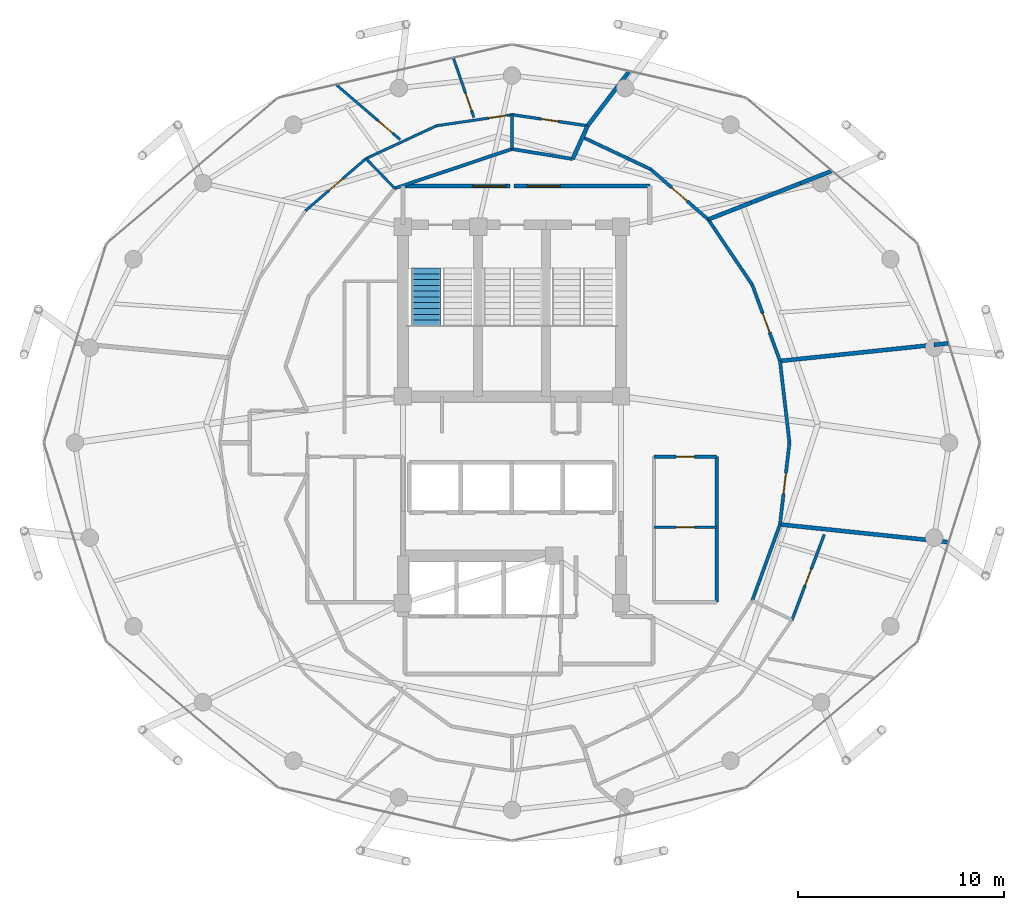
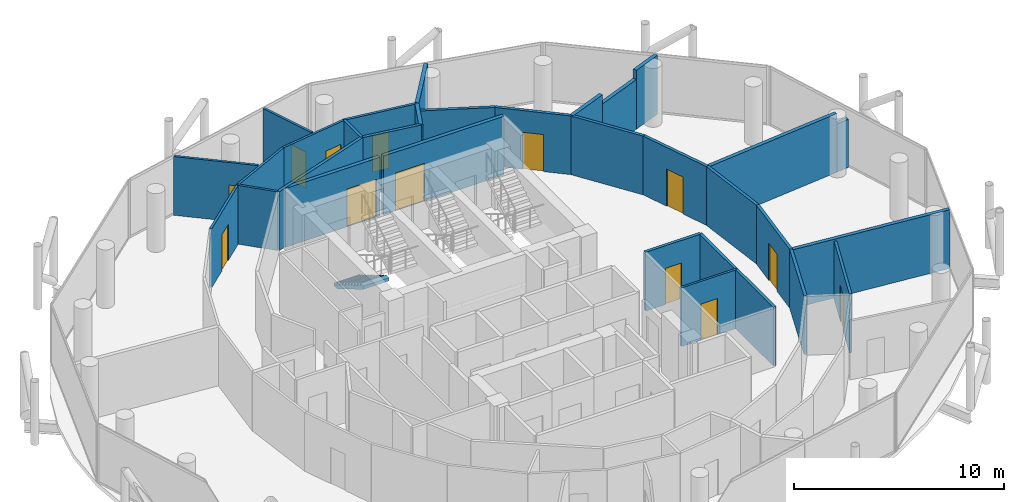
# One storey, part 25 of 27: 31 walls, 13 doors, 1 stair flight, 13 openings, 1 element without a shape of its own.
"""IFC4 building model written with IfcOpenShell, lengths in metres."""

from ifc_helpers import new_model, si_unit, direction, frame, frame_2d, origin, place, context, subcontext, project, spatial, polyline, rectangle, outline, extrude, material, layer, layer_set, type_object, element, fill, aggregate, save


model = new_model("IFC4")

# Units and contexts
model_context = context("Model", 3, precision=1e-05, world=origin(), true_north=direction((0.0, 1.0)))
body_context = subcontext(model_context, "Body", "Model", "MODEL_VIEW")
ifc_project = project(units=[si_unit("LENGTHUNIT", "METRE"), si_unit("AREAUNIT", "SQUARE_METRE"), si_unit("VOLUMEUNIT", "CUBIC_METRE"), si_unit("PLANEANGLEUNIT", "RADIAN"), si_unit("MASSUNIT", "GRAM", prefix="KILO")], contexts=[model_context])

# Site, building, storey
site_placement = place(None, origin())
site = spatial("IfcSite", under=ifc_project, at=site_placement, CompositionType="ELEMENT")
building_placement = place(site_placement, origin())
building = spatial("IfcBuilding", under=site, at=building_placement, Name="Nuhasar Tower", CompositionType="ELEMENT")
storey_placement = place(building_placement, frame((0.0, 0.0, 248.300048828125)))
storey = spatial("IfcBuildingStorey", under=building, at=storey_placement, Name="L61", CompositionType="ELEMENT", Elevation=248.300048828125)

# Wall
ifc_material_1 = material(Name="Gypsum Board", Category="gypsum")
ifc_layer_1 = layer(ifc_material_1, 0.159912109375)
ifc_layer_set_1 = layer_set([ifc_layer_1], Name="Gypsum Board")
wall_type_1 = type_object("IfcWallType", Name="WL-CORR-160", PredefinedType="PARTITIONING", material=ifc_layer_set_1)
wall_1_placement = place(storey_placement, frame((48.949951171875, 19.050048828125, 0.0), z_axis=(0.0, 0.0, 1.0), x_axis=(0.0, 1.0, 0.0)))
element("IfcWall", 1, at=wall_1_placement, inside=storey, type_object=wall_type_1, Name="L61 Interior Partition RECL-B2-E", PredefinedType="PARTITIONING", context=body_context, shape_type="SweptSolid", body=[
    extrude(rectangle(XDim=7.070068359375, YDim=0.159912109375, at=frame_2d((3.53515625, 0.0))), origin(), (0.0, 0.0, 1.0), 3.409912109375),
])

# Wall, opening, door
wall_2_placement = place(storey_placement, frame((48.949951171875, 26.1201171875, 0.0), z_axis=(0.0, 0.0, 1.0), x_axis=(-1.0, 0.0, 0.0)))
wall_2 = element("IfcWall", 2, at=wall_2_placement, inside=storey, type_object=wall_type_1, Name="L61 Interior Partition RECL-B2-N", PredefinedType="PARTITIONING", context=body_context, shape_type="SweptSolid", body=[
    extrude(rectangle(XDim=3.050048828125, YDim=0.159912109375, at=frame_2d((1.52490234375, 0.0))), origin(), (0.0, 0.0, 1.0), 3.409912109375),
])
opening_1_placement = place(wall_2_placement, frame((1.074951171875, 0.0, 0.0)))
opening_1 = element("IfcOpeningElement", 3, at=opening_1_placement, cuts=wall_2, Name="Opening DR-01", PredefinedType="OPENING", context=body_context, shape_type="SweptSolid", body=[
    extrude(rectangle(XDim=0.89990234375, YDim=2.10009765625, at=frame_2d((0.449951171875, 1.050048828125))), frame((0.0, 0.08984375, 0.0), z_axis=(0.0, -1.0, 0.0), x_axis=(1.0, 0.0, 0.0)), (0.0, 0.0, 1.0), 0.179931640625),
])
ifc_material_2 = material(Name="Timber Oak", Category="wood")
door_type_1 = type_object("IfcDoorType", Name="DR-ROOM-900", OperationType="NOTDEFINED", PredefinedType="DOOR", material=ifc_material_2)
door_1_placement = place(opening_1_placement, origin())
door_1 = element("IfcDoor", 4, at=door_1_placement, inside=storey, type_object=door_type_1, Name="L61 Utility Room Door", OperationType="SINGLE_SWING_LEFT", OverallHeight=2.10009765625, OverallWidth=0.89990234375, PredefinedType="DOOR", context=body_context, shape_type="SweptSolid", body=[
    extrude(rectangle(XDim=0.89990234375, YDim=2.10009765625, at=frame_2d((0.449951171875, 1.050048828125))), frame((0.0, 0.02490234375, 0.0), z_axis=(0.0, -1.0, 0.0), x_axis=(1.0, 0.0, 0.0)), (0.0, 0.0, 1.0), 0.050048828125),
])
fill(opening_1, door_1)

# Wall
wall_3_placement = place(storey_placement, frame((50.68310546875, 19.125, 0.0), z_axis=(0.0, 0.0, 1.0), x_axis=(0.341917221123, 0.939730075021, 0.0)))
element("IfcWall", 5, at=wall_3_placement, inside=storey, type_object=wall_type_1, Name="L61 Interior Partition CORR-44", PredefinedType="PARTITIONING", context=body_context, shape_type="SweptSolid", body=[
    extrude(rectangle(XDim=3.939208984375, YDim=0.159912109375, at=frame_2d((1.9697265625, 0.0))), origin(), (0.0, 0.0, 1.0), 3.409912109375),
])

# Wall, opening, door
wall_4_placement = place(storey_placement, frame((52.489990234375, 26.800048828125, 0.0), z_axis=(0.0, 0.0, 1.0), x_axis=(-0.114999429198, -0.99336555773, 0.0)))
wall_4 = element("IfcWall", 6, at=wall_4_placement, inside=storey, type_object=wall_type_1, Name="L61 Interior Partition CORR-46", PredefinedType="PARTITIONING", context=body_context, shape_type="SweptSolid", body=[
    extrude(rectangle(XDim=3.999755859375, YDim=0.159912109375, at=frame_2d((2.0, 0.0))), origin(), (0.0, 0.0, 1.0), 3.409912109375),
])
opening_2_placement = place(wall_4_placement, frame((1.5, 0.0, 0.0)))
opening_2 = element("IfcOpeningElement", 7, at=opening_2_placement, cuts=wall_4, Name="Opening DU-02", PredefinedType="OPENING", context=body_context, shape_type="SweptSolid", body=[
    extrude(rectangle(XDim=1.0, YDim=2.14990234375, at=frame_2d((0.5, 1.074951171875))), frame((0.0, 0.08984375, 0.0), z_axis=(0.0, -1.0, 0.0), x_axis=(1.0, 0.0, 0.0)), (0.0, 0.0, 1.0), 0.179931640625),
])
door_type_2 = type_object("IfcDoorType", Name="DR-FLAT-FD60-1000", OperationType="NOTDEFINED", PredefinedType="DOOR", material=ifc_material_2)
door_2_placement = place(opening_2_placement, origin())
door_2 = element("IfcDoor", 8, at=door_2_placement, inside=storey, type_object=door_type_2, Name="L61 Resident Gourmet Convenience Boutique Entrance Door", OperationType="SINGLE_SWING_RIGHT", OverallHeight=2.14990234375, OverallWidth=1.0, PredefinedType="DOOR", context=body_context, shape_type="SweptSolid", body=[
    extrude(rectangle(XDim=1.0, YDim=2.14990234375, at=frame_2d((0.5, 1.074951171875))), frame((0.0, 0.02490234375, 0.0), z_axis=(0.0, -1.0, 0.0), x_axis=(1.0, 0.0, 0.0)), (0.0, 0.0, 1.0), 0.050048828125),
])
fill(opening_2, door_2)

# Wall
wall_5_placement = place(storey_placement, frame((52.489990234375, 26.800048828125, 0.0), z_axis=(0.0, 0.0, 1.0), x_axis=(-0.115006402616, 0.99336475041, 0.0)))
element("IfcWall", 9, at=wall_5_placement, inside=storey, type_object=wall_type_1, Name="L61 Interior Partition CORR-00", PredefinedType="PARTITIONING", context=body_context, shape_type="SweptSolid", body=[
    extrude(rectangle(XDim=3.99951171875, YDim=0.159912109375, at=frame_2d((1.999755859375, 0.0))), origin(), (0.0, 0.0, 1.0), 3.409912109375),
])

# Wall, opening, door
wall_6_placement = place(storey_placement, frame((50.68310546875, 34.47509765625, 0.0), z_axis=(0.0, 0.0, 1.0), x_axis=(0.341897308959, -0.939737319748, 0.0)))
wall_6 = element("IfcWall", 10, at=wall_6_placement, inside=storey, type_object=wall_type_1, Name="L61 Interior Partition CORR-02", PredefinedType="PARTITIONING", context=body_context, shape_type="SweptSolid", body=[
    extrude(rectangle(XDim=3.939453125, YDim=0.159912109375, at=frame_2d((1.9697265625, 0.0))), origin(), (0.0, 0.0, 1.0), 3.409912109375),
])
opening_3_placement = place(wall_6_placement, frame((1.469970703125, 0.0, 0.0)))
opening_3 = element("IfcOpeningElement", 11, at=opening_3_placement, cuts=wall_6, Name="Opening DU-02", PredefinedType="OPENING", context=body_context, shape_type="SweptSolid", body=[
    extrude(rectangle(XDim=1.0, YDim=2.14990234375, at=frame_2d((0.5, 1.074951171875))), frame((0.0, 0.08984375, 0.0), z_axis=(0.0, -1.0, 0.0), x_axis=(1.0, 0.0, 0.0)), (0.0, 0.0, 1.0), 0.179931640625),
])
door_3_placement = place(opening_3_placement, origin())
door_3 = element("IfcDoor", 12, at=door_3_placement, inside=storey, type_object=door_type_2, Name="L61 Resident Florist & Art Shop Entrance Door", OperationType="SINGLE_SWING_RIGHT", OverallHeight=2.14990234375, OverallWidth=1.0, PredefinedType="DOOR", context=body_context, shape_type="SweptSolid", body=[
    extrude(rectangle(XDim=1.0, YDim=2.14990234375, at=frame_2d((0.5, 1.074951171875))), frame((0.0, 0.02490234375, 0.0), z_axis=(0.0, -1.0, 0.0), x_axis=(1.0, 0.0, 0.0)), (0.0, 0.0, 1.0), 0.050048828125),
])
fill(opening_3, door_3)

# Wall
wall_7_placement = place(storey_placement, frame((50.68310546875, 34.47509765625, 0.0), z_axis=(0.0, 0.0, 1.0), x_axis=(-0.55915897058, 0.829060459568, 0.0)))
element("IfcWall", 13, at=wall_7_placement, inside=storey, type_object=wall_type_1, Name="L61 Interior Partition CORR-04", PredefinedType="PARTITIONING", context=body_context, shape_type="SweptSolid", body=[
    extrude(rectangle(XDim=3.83447265625, YDim=0.159912109375, at=frame_2d((1.917236328125, 0.0))), origin(), (0.0, 0.0, 1.0), 3.409912109375),
])

# Wall, opening, door
wall_8_placement = place(storey_placement, frame((45.7451171875, 40.093017578125, 0.0), z_axis=(0.0, 0.0, 1.0), x_axis=(0.75334282606, -0.65762800003, 0.0)))
wall_8 = element("IfcWall", 14, at=wall_8_placement, inside=storey, type_object=wall_type_1, Name="L61 Interior Partition CORR-06", PredefinedType="PARTITIONING", context=body_context, shape_type="SweptSolid", body=[
    extrude(rectangle(XDim=3.708740234375, YDim=0.159912109375, at=frame_2d((1.8544921875, 0.0))), origin(), (0.0, 0.0, 1.0), 3.409912109375),
])
opening_4_placement = place(wall_8_placement, frame((1.35400390625, 0.0, 0.0)))
opening_4 = element("IfcOpeningElement", 15, at=opening_4_placement, cuts=wall_8, Name="Opening DU-02", PredefinedType="OPENING", context=body_context, shape_type="SweptSolid", body=[
    extrude(rectangle(XDim=1.0, YDim=2.14990234375, at=frame_2d((0.5, 1.074951171875))), frame((0.0, 0.08984375, 0.0), z_axis=(0.0, -1.0, 0.0), x_axis=(1.0, 0.0, 0.0)), (0.0, 0.0, 1.0), 0.179931640625),
])
door_4_placement = place(opening_4_placement, origin())
door_4 = element("IfcDoor", 16, at=door_4_placement, inside=storey, type_object=door_type_2, Name="L61 Residents Lounge Pantry Entrance Door", OperationType="SINGLE_SWING_RIGHT", OverallHeight=2.14990234375, OverallWidth=1.0, PredefinedType="DOOR", context=body_context, shape_type="SweptSolid", body=[
    extrude(rectangle(XDim=1.0, YDim=2.14990234375, at=frame_2d((0.5, 1.074951171875))), frame((0.0, 0.02490234375, 0.0), z_axis=(0.0, -1.0, 0.0), x_axis=(1.0, 0.0, 0.0)), (0.0, 0.0, 1.0), 0.050048828125),
])
fill(opening_4, door_4)

# Walls
wall_9_placement = place(storey_placement, frame((45.7451171875, 40.093017578125, 0.0), z_axis=(0.0, 0.0, 1.0), x_axis=(-0.904507668207, 0.426457357955, 0.0)))
element("IfcWall", 17, at=wall_9_placement, inside=storey, type_object=wall_type_1, Name="L61 Interior Partition CORR-08", PredefinedType="PARTITIONING", context=body_context, shape_type="SweptSolid", body=[
    extrude(rectangle(XDim=3.667236328125, YDim=0.159912109375, at=frame_2d((1.83349609375, 0.0))), origin(), (0.0, 0.0, 1.0), 3.409912109375),
])
wall_10_placement = place(storey_placement, frame((41.950927734375, 40.593017578125, 0.0), z_axis=(0.0, 0.0, 1.0), x_axis=(-0.986650832406, 0.162850038111, 0.0)))
element("IfcWall", 18, at=wall_10_placement, inside=storey, type_object=wall_type_1, Name="L61 Interior Partition UWEST-CORE-N1-10", PredefinedType="PARTITIONING", context=body_context, shape_type="SweptSolid", body=[
    extrude(rectangle(XDim=2.990966796875, YDim=0.159912109375, at=frame_2d((1.49560546875, 0.0))), origin(), (0.0, 0.0, 1.0), 3.409912109375),
])
wall_11_placement = place(storey_placement, frame((39.0, 41.080078125, 0.0), z_axis=(0.0, 0.0, 1.0), x_axis=(-0.948027514656, -0.318188358455, 0.0)))
element("IfcWall", 19, at=wall_11_placement, inside=storey, type_object=wall_type_1, Name="L61 Interior Partition UWEST-CORE-N2-12", PredefinedType="PARTITIONING", context=body_context, shape_type="SweptSolid", body=[
    extrude(rectangle(XDim=6.012451171875, YDim=0.159912109375, at=frame_2d((3.00634765625, 0.0))), origin(), (0.0, 0.0, 1.0), 3.409912109375),
])

# Wall, opening, door
ifc_material_3 = material(Name="Concrete C45/55", Category="concrete")
ifc_layer_2 = layer(ifc_material_3, 0.199951171875)
ifc_layer_set_2 = layer_set([ifc_layer_2], Name="Concrete C45/55")
wall_type_2 = type_object("IfcWallType", Name="WL-LOBBY-200", PredefinedType="SOLIDWALL", material=ifc_layer_set_2)
wall_12_placement = place(storey_placement, frame((38.89990234375, 39.280029296875, 0.0), z_axis=(0.0, 0.0, 1.0), x_axis=(-1.0, 0.0, 0.0)))
wall_12 = element("IfcWall", 20, at=wall_12_placement, inside=storey, type_object=wall_type_2, Name="L61 Interior Partition NSL-N1", PredefinedType="SOLIDWALL", context=body_context, shape_type="SweptSolid", body=[
    extrude(rectangle(XDim=5.199951171875, YDim=0.199951171875, at=frame_2d((2.60009765625, 0.0))), origin(), (0.0, 0.0, 1.0), 3.409912109375),
])
opening_5_placement = place(wall_12_placement, frame((0.199951171875, 0.0, 0.0)))
opening_5 = element("IfcOpeningElement", 21, at=opening_5_placement, cuts=wall_12, Name="Opening DC-01", PredefinedType="OPENING", context=body_context, shape_type="SweptSolid", body=[
    extrude(rectangle(XDim=1.60009765625, YDim=2.199951171875, at=frame_2d((0.800048828125, 1.10009765625))), frame((0.0, 0.10986328125, 0.0), z_axis=(0.0, -1.0, 0.0), x_axis=(1.0, 0.0, 0.0)), (0.0, 0.0, 1.0), 0.219970703125),
])
ifc_material_4 = material(Name="Steel S355", Category="steel")
door_type_3 = type_object("IfcDoorType", Name="DR-CORR-FD60-1600", OperationType="DOUBLE_DOOR_SINGLE_SWING", PredefinedType="DOOR", material=ifc_material_4)
door_5_placement = place(opening_5_placement, origin())
door_5 = element("IfcDoor", 22, at=door_5_placement, inside=storey, type_object=door_type_3, Name="L61 North Stair Lobby West Door", OperationType="DOUBLE_DOOR_SINGLE_SWING", OverallHeight=2.199951171875, OverallWidth=1.60009765625, PredefinedType="DOOR", context=body_context, shape_type="SweptSolid", body=[
    extrude(rectangle(XDim=1.60009765625, YDim=2.199951171875, at=frame_2d((0.800048828125, 1.10009765625))), frame((0.0, 0.02490234375, 0.0), z_axis=(0.0, -1.0, 0.0), x_axis=(1.0, 0.0, 0.0)), (0.0, 0.0, 1.0), 0.050048828125),
])
fill(opening_5, door_5)

wall_13_placement = place(storey_placement, frame((45.699951171875, 39.280029296875, 0.0), z_axis=(0.0, 0.0, 1.0), x_axis=(-1.0, 0.0, 0.0)))
wall_13 = element("IfcWall", 23, at=wall_13_placement, inside=storey, type_object=wall_type_2, Name="L61 Interior Partition NSL-N2", PredefinedType="SOLIDWALL", context=body_context, shape_type="SweptSolid", body=[
    extrude(rectangle(XDim=6.599853515625, YDim=0.199951171875, at=frame_2d((3.2998046875, 0.0))), origin(), (0.0, 0.0, 1.0), 3.409912109375),
])
opening_6_placement = place(wall_13_placement, frame((4.35009765625, 0.0, 0.0)))
opening_6 = element("IfcOpeningElement", 24, at=opening_6_placement, cuts=wall_13, Name="Opening DC-01", PredefinedType="OPENING", context=body_context, shape_type="SweptSolid", body=[
    extrude(rectangle(XDim=1.60009765625, YDim=2.199951171875, at=frame_2d((0.800048828125, 1.10009765625))), frame((0.0, 0.10986328125, 0.0), z_axis=(0.0, -1.0, 0.0), x_axis=(1.0, 0.0, 0.0)), (0.0, 0.0, 1.0), 0.219970703125),
])
door_6_placement = place(opening_6_placement, origin())
door_6 = element("IfcDoor", 25, at=door_6_placement, inside=storey, type_object=door_type_3, Name="L61 North Stair Lobby East Door", OperationType="DOUBLE_DOOR_SINGLE_SWING", OverallHeight=2.199951171875, OverallWidth=1.60009765625, PredefinedType="DOOR", context=body_context, shape_type="SweptSolid", body=[
    extrude(rectangle(XDim=1.60009765625, YDim=2.199951171875, at=frame_2d((0.800048828125, 1.10009765625))), frame((0.0, 0.02490234375, 0.0), z_axis=(0.0, -1.0, 0.0), x_axis=(1.0, 0.0, 0.0)), (0.0, 0.0, 1.0), 0.050048828125),
])
fill(opening_6, door_6)

ifc_layer_3 = layer(ifc_material_1, 0.125)
ifc_layer_set_3 = layer_set([ifc_layer_3], Name="Gypsum Board")
wall_type_3 = type_object("IfcWallType", Name="WL-PART-125", PredefinedType="PARTITIONING", material=ifc_layer_set_3)
wall_14_placement = place(storey_placement, frame((48.949951171875, 22.699951171875, 0.0), z_axis=(0.0, 0.0, 1.0), x_axis=(-1.0, 0.0, 0.0)))
wall_14 = element("IfcWall", 26, at=wall_14_placement, inside=storey, type_object=wall_type_3, Name="L61 Interior Partition RECL-B2-M", PredefinedType="PARTITIONING", context=body_context, shape_type="SweptSolid", body=[
    extrude(rectangle(XDim=3.050048828125, YDim=0.125, at=frame_2d((1.52490234375, 0.0))), origin(), (0.0, 0.0, 1.0), 3.409912109375),
])
opening_7_placement = place(wall_14_placement, frame((1.074951171875, 0.0, 0.0)))
opening_7 = element("IfcOpeningElement", 27, at=opening_7_placement, cuts=wall_14, Name="Opening DR-01", PredefinedType="OPENING", context=body_context, shape_type="SweptSolid", body=[
    extrude(rectangle(XDim=0.89990234375, YDim=2.10009765625, at=frame_2d((0.449951171875, 1.050048828125))), frame((0.0, 0.072509765625, 0.0), z_axis=(0.0, -1.0, 0.0), x_axis=(1.0, 0.0, 0.0)), (0.0, 0.0, 1.0), 0.14501953125),
])
door_7_placement = place(opening_7_placement, origin())
door_7 = element("IfcDoor", 28, at=door_7_placement, inside=storey, type_object=door_type_1, Name="L61 Inner Vault Door", OperationType="SINGLE_SWING_RIGHT", OverallHeight=2.10009765625, OverallWidth=0.89990234375, PredefinedType="DOOR", context=body_context, shape_type="SweptSolid", body=[
    extrude(rectangle(XDim=0.89990234375, YDim=2.10009765625, at=frame_2d((0.449951171875, 1.050048828125))), frame((0.0, 0.02490234375, 0.0), z_axis=(0.0, -1.0, 0.0), x_axis=(1.0, 0.0, 0.0)), (0.0, 0.0, 1.0), 0.050048828125),
])
fill(opening_7, door_7)

# Wall
wall_15_placement = place(storey_placement, frame((33.300048828125, 39.1669921875, 0.0), z_axis=(0.0, 0.0, 1.0), x_axis=(-0.695613346208, 0.718416364358, 0.0)))
element("IfcWall", 29, at=wall_15_placement, inside=storey, type_object=wall_type_3, Name="L61 Interior Partition USI-1-KD", PredefinedType="PARTITIONING", context=body_context, shape_type="SweptSolid", body=[
    extrude(rectangle(XDim=2.012939453125, YDim=0.125, at=frame_2d((1.00634765625, 0.0))), origin(), (0.0, 0.0, 1.0), 3.409912109375),
])

# Wall, opening, door
wall_16_placement = place(storey_placement, frame((35.324951171875, 42.20703125, 0.0), z_axis=(0.0, 0.0, 1.0), x_axis=(0.989261252839, 0.146158043334, 0.0)))
wall_16 = element("IfcWall", 30, at=wall_16_placement, inside=storey, type_object=wall_type_3, Name="L61 Interior Partition USM-1-K-12", PredefinedType="PARTITIONING", context=body_context, shape_type="SweptSolid", body=[
    extrude(rectangle(XDim=3.71484375, YDim=0.125, at=frame_2d((1.857421875, 0.0))), origin(), (0.0, 0.0, 1.0), 3.409912109375),
])
opening_8_placement = place(wall_16_placement, frame((2.56494140625, 0.0, 0.0)))
opening_8 = element("IfcOpeningElement", 31, at=opening_8_placement, cuts=wall_16, Name="Opening DR-01", PredefinedType="OPENING", context=body_context, shape_type="SweptSolid", body=[
    extrude(rectangle(XDim=0.89990234375, YDim=2.10009765625, at=frame_2d((0.449951171875, 1.050048828125))), frame((0.0, 0.072509765625, 0.0), z_axis=(0.0, -1.0, 0.0), x_axis=(1.0, 0.0, 0.0)), (0.0, 0.0, 1.0), 0.14501953125),
])
door_8_placement = place(opening_8_placement, origin())
door_8 = element("IfcDoor", 32, at=door_8_placement, inside=storey, type_object=door_type_1, Name="L61 North-West Sky Home Kitchen Door", OperationType="SINGLE_SWING_RIGHT", OverallHeight=2.10009765625, OverallWidth=0.89990234375, PredefinedType="DOOR", context=body_context, shape_type="SweptSolid", body=[
    extrude(rectangle(XDim=0.89990234375, YDim=2.10009765625, at=frame_2d((0.449951171875, 1.050048828125))), frame((0.0, 0.02490234375, 0.0), z_axis=(0.0, -1.0, 0.0), x_axis=(1.0, 0.0, 0.0)), (0.0, 0.0, 1.0), 0.050048828125),
])
fill(opening_8, door_8)

# Wall
wall_17_placement = place(storey_placement, frame((35.324951171875, 42.20703125, 0.0), z_axis=(0.0, 0.0, 1.0), x_axis=(-0.906625113427, -0.421937085007, 0.0)))
element("IfcWall", 33, at=wall_17_placement, inside=storey, type_object=wall_type_3, Name="L61 Interior Partition USM-1-K-14", PredefinedType="PARTITIONING", context=body_context, shape_type="SweptSolid", body=[
    extrude(rectangle(XDim=3.77783203125, YDim=0.125, at=frame_2d((1.888916015625, 0.0))), origin(), (0.0, 0.0, 1.0), 3.409912109375),
])

# Wall, opening, door
wall_18_placement = place(storey_placement, frame((28.958984375, 38.077880859375, 0.0), z_axis=(0.0, 0.0, 1.0), x_axis=(0.757424973134, 0.652922208286, 0.0)))
wall_18 = element("IfcWall", 34, at=wall_18_placement, inside=storey, type_object=wall_type_3, Name="L61 Interior Partition USM-1-D-16", PredefinedType="PARTITIONING", context=body_context, shape_type="SweptSolid", body=[
    extrude(rectangle(XDim=3.8828125, YDim=0.125, at=frame_2d((1.94140625, 0.0))), origin(), (0.0, 0.0, 1.0), 3.409912109375),
])
opening_9_placement = place(wall_18_placement, frame((1.490966796875, 0.0, 0.0)))
opening_9 = element("IfcOpeningElement", 35, at=opening_9_placement, cuts=wall_18, Name="Opening DR-01", PredefinedType="OPENING", context=body_context, shape_type="SweptSolid", body=[
    extrude(rectangle(XDim=0.89990234375, YDim=2.10009765625, at=frame_2d((0.449951171875, 1.050048828125))), frame((0.0, 0.072509765625, 0.0), z_axis=(0.0, -1.0, 0.0), x_axis=(1.0, 0.0, 0.0)), (0.0, 0.0, 1.0), 0.14501953125),
])
door_9_placement = place(opening_9_placement, origin())
door_9 = element("IfcDoor", 36, at=door_9_placement, inside=storey, type_object=door_type_1, Name="L61 North-West Sky Home Living Door", OperationType="SINGLE_SWING_LEFT", OverallHeight=2.10009765625, OverallWidth=0.89990234375, PredefinedType="DOOR", context=body_context, shape_type="SweptSolid", body=[
    extrude(rectangle(XDim=0.89990234375, YDim=2.10009765625, at=frame_2d((0.449951171875, 1.050048828125))), frame((0.0, 0.02490234375, 0.0), z_axis=(0.0, -1.0, 0.0), x_axis=(1.0, 0.0, 0.0)), (0.0, 0.0, 1.0), 0.050048828125),
])
fill(opening_9, door_9)

wall_19_placement = place(storey_placement, frame((37.14697265625, 42.614013671875, 0.0), z_axis=(0.0, 0.0, 1.0), x_axis=(-0.325834204973, 0.945426925188, 0.0)))
wall_19 = element("IfcWall", 37, at=wall_19_placement, inside=storey, type_object=wall_type_3, Name="L61 Interior Partition USO-1-B1", PredefinedType="PARTITIONING", context=body_context, shape_type="SweptSolid", body=[
    extrude(rectangle(XDim=3.029296875, YDim=0.125, at=frame_2d((1.5146484375, 0.0))), origin(), (0.0, 0.0, 1.0), 3.409912109375),
])
opening_10_placement = place(wall_19_placement, frame((0.35009765625, 0.0, 0.0)))
opening_10 = element("IfcOpeningElement", 38, at=opening_10_placement, cuts=wall_19, Name="Opening DR-01", PredefinedType="OPENING", context=body_context, shape_type="SweptSolid", body=[
    extrude(rectangle(XDim=0.89990234375, YDim=2.10009765625, at=frame_2d((0.449951171875, 1.050048828125))), frame((0.0, 0.072509765625, 0.0), z_axis=(0.0, -1.0, 0.0), x_axis=(1.0, 0.0, 0.0)), (0.0, 0.0, 1.0), 0.14501953125),
])
door_10_placement = place(opening_10_placement, origin())
door_10 = element("IfcDoor", 39, at=door_10_placement, inside=storey, type_object=door_type_1, Name="L61 North-West Sky Home Master Bedroom Door", OperationType="SINGLE_SWING_LEFT", OverallHeight=2.10009765625, OverallWidth=0.89990234375, PredefinedType="DOOR", context=body_context, shape_type="SweptSolid", body=[
    extrude(rectangle(XDim=0.89990234375, YDim=2.10009765625, at=frame_2d((0.449951171875, 1.050048828125))), frame((0.0, 0.02490234375, 0.0), z_axis=(0.0, -1.0, 0.0), x_axis=(1.0, 0.0, 0.0)), (0.0, 0.0, 1.0), 0.050048828125),
])
fill(opening_10, door_10)

wall_20_placement = place(storey_placement, frame((33.56591796875, 41.535888671875, 0.0), z_axis=(0.0, 0.0, 1.0), x_axis=(-0.759099779472, 0.650974288897, 0.0)))
wall_20 = element("IfcWall", 40, at=wall_20_placement, inside=storey, type_object=wall_type_3, Name="L61 Interior Partition USO-1-B2", PredefinedType="PARTITIONING", context=body_context, shape_type="SweptSolid", body=[
    extrude(rectangle(XDim=4.066650390625, YDim=0.125, at=frame_2d((2.033203125, 0.0))), origin(), (0.0, 0.0, 1.0), 3.409912109375),
])
opening_11_placement = place(wall_20_placement, frame((0.501953125, 0.0, 0.0)))
opening_11 = element("IfcOpeningElement", 41, at=opening_11_placement, cuts=wall_20, Name="Opening DR-01", PredefinedType="OPENING", context=body_context, shape_type="SweptSolid", body=[
    extrude(rectangle(XDim=0.89990234375, YDim=2.10009765625, at=frame_2d((0.449951171875, 1.050048828125))), frame((0.0, 0.072509765625, 0.0), z_axis=(0.0, -1.0, 0.0), x_axis=(1.0, 0.0, 0.0)), (0.0, 0.0, 1.0), 0.14501953125),
])
door_11_placement = place(opening_11_placement, origin())
door_11 = element("IfcDoor", 42, at=door_11_placement, inside=storey, type_object=door_type_1, Name="L61 North-West Sky Home Study Door", OperationType="SINGLE_SWING_LEFT", OverallHeight=2.10009765625, OverallWidth=0.89990234375, PredefinedType="DOOR", context=body_context, shape_type="SweptSolid", body=[
    extrude(rectangle(XDim=0.89990234375, YDim=2.10009765625, at=frame_2d((0.449951171875, 1.050048828125))), frame((0.0, 0.02490234375, 0.0), z_axis=(0.0, -1.0, 0.0), x_axis=(1.0, 0.0, 0.0)), (0.0, 0.0, 1.0), 0.050048828125),
])
fill(opening_11, door_11)

# Walls
ifc_material_5 = material(Name="Concrete C40/50 precast", Category="concrete")
ifc_layer_4 = layer(ifc_material_5, 0.199951171875)
ifc_layer_set_4 = layer_set([ifc_layer_4], Name="Concrete C40/50 precast")
wall_type_4 = type_object("IfcWallType", Name="WL-UNIT-200", PredefinedType="PARTITIONING", material=ifc_layer_set_4)
wall_21_placement = place(storey_placement, frame((41.950927734375, 40.593017578125, 0.0), z_axis=(0.0, 0.0, 1.0), x_axis=(0.409337233456, 0.912383159263, 0.0)))
element("IfcWall", 43, at=wall_21_placement, inside=storey, type_object=wall_type_4, Name="L61 Interior Partition URAD-10-NW-S1", PredefinedType="PARTITIONING", context=body_context, shape_type="SweptSolid", body=[
    extrude(rectangle(XDim=1.76904296875, YDim=0.199951171875, at=frame_2d((0.884521484375, 0.0))), origin(), (0.0, 0.0, 1.0), 3.409912109375),
])
wall_22_placement = place(storey_placement, frame((42.675048828125, 42.20703125, 0.0), z_axis=(0.0, 0.0, 1.0), x_axis=(0.607307427022, 0.794466921328, 0.0)))
element("IfcWall", 44, at=wall_22_placement, inside=storey, type_object=wall_type_4, Name="L61 Interior Partition URAD-10-NW-S2", PredefinedType="PARTITIONING", context=body_context, shape_type="SweptSolid", body=[
    extrude(rectangle(XDim=3.302978515625, YDim=0.199951171875, at=frame_2d((1.6513671875, 0.0))), origin(), (0.0, 0.0, 1.0), 3.409912109375),
])
wall_23_placement = place(storey_placement, frame((52.030029296875, 22.826904296875, 0.0), z_axis=(0.0, 0.0, 1.0), x_axis=(0.994523344894, -0.104514671028, 0.0)))
element("IfcWall", 45, at=wall_23_placement, inside=storey, type_object=wall_type_4, Name="L61 Interior Partition URAD-46", PredefinedType="PARTITIONING", context=body_context, shape_type="SweptSolid", body=[
    extrude(rectangle(XDim=8.2177734375, YDim=0.199951171875, at=frame_2d((4.10888671875, 0.0))), origin(), (0.0, 0.0, 1.0), 3.409912109375),
])
wall_24_placement = place(storey_placement, frame((52.030029296875, 30.77294921875, 0.0), z_axis=(0.0, 0.0, 1.0), x_axis=(0.994537025742, 0.104384407017, 0.0)))
element("IfcWall", 46, at=wall_24_placement, inside=storey, type_object=wall_type_4, Name="L61 Interior Partition URAD-02", PredefinedType="PARTITIONING", context=body_context, shape_type="SweptSolid", body=[
    extrude(rectangle(XDim=7.53125, YDim=0.199951171875, at=frame_2d((3.765625, 0.0))), origin(), (0.0, 0.0, 1.0), 3.409912109375),
])
wall_25_placement = place(storey_placement, frame((59.52001953125, 31.55908203125, 0.0), z_axis=(0.0, 0.0, 1.0), x_axis=(0.994484001442, 0.104888373409, 0.0)))
element("IfcWall", 47, at=wall_25_placement, inside=storey, type_object=wall_type_4, Name="L61 Interior Partition URAD-02", PredefinedType="PARTITIONING", context=body_context, shape_type="SweptSolid", body=[
    extrude(rectangle(XDim=0.686767578125, YDim=0.199951171875, at=frame_2d((0.34326171875, 0.0))), origin(), (0.0, 0.0, 1.0), 2.794921875),
])
wall_26_placement = place(storey_placement, frame((48.5390625, 37.654052734375, 0.0), z_axis=(0.0, 0.0, 1.0), x_axis=(0.931110996266, 0.364735949192, 0.0)))
element("IfcWall", 48, at=wall_26_placement, inside=storey, type_object=wall_type_4, Name="L61 Interior Partition URAD-06", PredefinedType="PARTITIONING", context=body_context, shape_type="SweptSolid", body=[
    extrude(rectangle(XDim=2.242431640625, YDim=0.199951171875, at=frame_2d((1.12109375, 0.0))), origin(), (0.0, 0.0, 1.0), 3.409912109375),
])
wall_27_placement = place(storey_placement, frame((50.626953125, 38.471923828125, 0.0), z_axis=(0.0, 0.0, 1.0), x_axis=(0.930956747199, 0.365129476823, 0.0)))
element("IfcWall", 49, at=wall_27_placement, inside=storey, type_object=wall_type_4, Name="L61 Interior Partition URAD-06", PredefinedType="PARTITIONING", context=body_context, shape_type="SweptSolid", body=[
    extrude(rectangle(XDim=2.571533203125, YDim=0.199951171875, at=frame_2d((1.28564453125, 0.0))), origin(), (0.0, 0.0, 1.0), 2.8798828125),
])
wall_28_placement = place(storey_placement, frame((53.02099609375, 39.410888671875, 0.0), z_axis=(0.0, 0.0, 1.0), x_axis=(0.931075100225, 0.364827572616, 0.0)))
element("IfcWall", 50, at=wall_28_placement, inside=storey, type_object=wall_type_4, Name="L61 Interior Partition URAD-06", PredefinedType="PARTITIONING", context=body_context, shape_type="SweptSolid", body=[
    extrude(rectangle(XDim=1.612060546875, YDim=0.199951171875, at=frame_2d((0.80615234375, 0.0))), origin(), (0.0, 0.0, 1.0), 3.409912109375),
])

# Wall, opening, door
ifc_layer_5 = layer(ifc_material_5, 0.139892578125)
ifc_layer_set_5 = layer_set([ifc_layer_5], Name="Concrete C40/50 precast")
wall_type_5 = type_object("IfcWallType", Name="WL-WET-140", PredefinedType="PARTITIONING", material=ifc_layer_set_5)
wall_29_placement = place(storey_placement, frame((54.18408203125, 22.3349609375, 0.0), z_axis=(0.0, 0.0, 1.0), x_axis=(-0.353114384325, -0.935580157754, 0.0)))
wall_29 = element("IfcWall", 51, at=wall_29_placement, inside=storey, type_object=wall_type_5, Name="L61 Interior Partition UMID-01-B-44", PredefinedType="PARTITIONING", context=body_context, shape_type="SweptSolid", body=[
    extrude(rectangle(XDim=4.4462890625, YDim=0.139892578125, at=frame_2d((2.22314453125, 0.0))), origin(), (0.0, 0.0, 1.0), 3.409912109375),
])
opening_12_placement = place(wall_29_placement, frame((1.798095703125, 0.0, 0.0)))
opening_12 = element("IfcOpeningElement", 52, at=opening_12_placement, cuts=wall_29, Name="Opening DB-01", PredefinedType="OPENING", context=body_context, shape_type="SweptSolid", body=[
    extrude(rectangle(XDim=0.85009765625, YDim=2.10009765625, at=frame_2d((0.425048828125, 1.050048828125))), frame((0.0, 0.080078125, 0.0), z_axis=(0.0, -1.0, 0.0), x_axis=(1.0, 0.0, 0.0)), (0.0, 0.0, 1.0), 0.159912109375),
])
door_type_4 = type_object("IfcDoorType", Name="DR-BATH-850", OperationType="NOTDEFINED", PredefinedType="DOOR", material=ifc_material_2)
door_12_placement = place(opening_12_placement, origin())
door_12 = element("IfcDoor", 53, at=door_12_placement, inside=storey, type_object=door_type_4, Name="L61 U01 Bathroom Door", OperationType="SINGLE_SWING_LEFT", OverallHeight=2.10009765625, OverallWidth=0.85009765625, PredefinedType="DOOR", context=body_context, shape_type="SweptSolid", body=[
    extrude(rectangle(XDim=0.85009765625, YDim=2.10009765625, at=frame_2d((0.425048828125, 1.050048828125))), frame((0.0, 0.02490234375, 0.0), z_axis=(0.0, -1.0, 0.0), x_axis=(1.0, 0.0, 0.0)), (0.0, 0.0, 1.0), 0.050048828125),
])
fill(opening_12, door_12)

# Wall
wall_30_placement = place(storey_placement, frame((39.0, 41.080078125, 0.0), z_axis=(0.0, 0.0, 1.0), x_axis=(0.0, 1.0, 0.0)))
element("IfcWall", 54, at=wall_30_placement, inside=storey, type_object=wall_type_5, Name="L61 Interior Partition USI-1-BK", PredefinedType="PARTITIONING", context=body_context, shape_type="SweptSolid", body=[
    extrude(rectangle(XDim=1.669921875, YDim=0.139892578125, at=frame_2d((0.8349609375, 0.0))), origin(), (0.0, 0.0, 1.0), 3.409912109375),
])

# Wall, opening, door
wall_31_placement = place(storey_placement, frame((39.0, 42.75, 0.0), z_axis=(0.0, 0.0, 1.0), x_axis=(0.989261252839, -0.146158043334, 0.0)))
wall_31 = element("IfcWall", 55, at=wall_31_placement, inside=storey, type_object=wall_type_5, Name="L61 Interior Partition USM-1-B-10", PredefinedType="PARTITIONING", context=body_context, shape_type="SweptSolid", body=[
    extrude(rectangle(XDim=3.71484375, YDim=0.139892578125, at=frame_2d((1.857421875, 0.0))), origin(), (0.0, 0.0, 1.0), 3.409912109375),
])
opening_13_placement = place(wall_31_placement, frame((1.431884765625, 0.0, 0.0)))
opening_13 = element("IfcOpeningElement", 56, at=opening_13_placement, cuts=wall_31, Name="Opening DB-01", PredefinedType="OPENING", context=body_context, shape_type="SweptSolid", body=[
    extrude(rectangle(XDim=0.85009765625, YDim=2.10009765625, at=frame_2d((0.425048828125, 1.050048828125))), frame((0.0, 0.080078125, 0.0), z_axis=(0.0, -1.0, 0.0), x_axis=(1.0, 0.0, 0.0)), (0.0, 0.0, 1.0), 0.159912109375),
])
door_13_placement = place(opening_13_placement, origin())
door_13 = element("IfcDoor", 57, at=door_13_placement, inside=storey, type_object=door_type_4, Name="L61 North-West Sky Home En-Suite Door", OperationType="SINGLE_SWING_RIGHT", OverallHeight=2.10009765625, OverallWidth=0.85009765625, PredefinedType="DOOR", context=body_context, shape_type="SweptSolid", body=[
    extrude(rectangle(XDim=0.85009765625, YDim=2.10009765625, at=frame_2d((0.425048828125, 1.050048828125))), frame((0.0, 0.02490234375, 0.0), z_axis=(0.0, -1.0, 0.0), x_axis=(1.0, 0.0, 0.0)), (0.0, 0.0, 1.0), 0.050048828125),
])
fill(opening_13, door_13)

# Stair, stair flight
stair_type = type_object("IfcStairType", Name="STR-ST-01-2F-22R-1659", PredefinedType="HALF_TURN_STAIR", material=ifc_material_3)
stair_placement = place(storey_placement, origin())
stair = element("IfcStair", 58, at=stair_placement, inside=storey, type_object=stair_type, Name="L61 Exit Stair ST-01", PredefinedType="HALF_TURN_STAIR")
stair_flight_type = type_object("IfcStairFlightType", Name="SFL-ST-01-11R-1659", PredefinedType="STRAIGHT", material=ifc_material_3)
stair_flight_placement = place(storey_placement, frame((34.830078125, 35.284912109375, 0.0), z_axis=(0.0, 0.0, 1.0), x_axis=(0.0, -1.0, 0.0)))
stair_flight = element("IfcStairFlight", 59, at=stair_flight_placement, type_object=stair_flight_type, Name="ST-01 flight 1", NumberOfRisers=11, NumberOfTreads=10, PredefinedType="STRAIGHT", RiserHeight=0.165909, TreadLength=0.28, context=body_context, shape_type="SweptSolid", body=[
    extrude(outline(polyline([(0.0, 0.0), (0.0, 0.166015625), (0.280029296875, 0.166015625), (0.280029296875, 0.331787109375), (0.56005859375, 0.331787109375), (0.56005859375, 0.497802734375), (0.840087890625, 0.497802734375), (0.840087890625, 0.66357421875), (1.1201171875, 0.66357421875), (1.1201171875, 0.82958984375), (1.39990234375, 0.82958984375), (1.39990234375, 0.995361328125), (1.679931640625, 0.995361328125), (1.679931640625, 1.161376953125), (1.9599609375, 1.161376953125), (1.9599609375, 1.327392578125), (2.239990234375, 1.327392578125), (2.239990234375, 1.4931640625), (2.52001953125, 1.4931640625), (2.52001953125, 1.6591796875), (2.800048828125, 1.6591796875), (2.800048828125, 1.824951171875), (2.800048828125, 1.47314453125), (0.313720703125, 0.0), (0.0, 0.0)])), frame((0.0, 0.7099609375, 0.0), z_axis=(0.0, -1.0, 0.0), x_axis=(1.0, 0.0, 0.0)), (0.0, 0.0, 1.0), 1.419921875),
])
aggregate(stair, [stair_flight])

save(model, "model.ifc")
